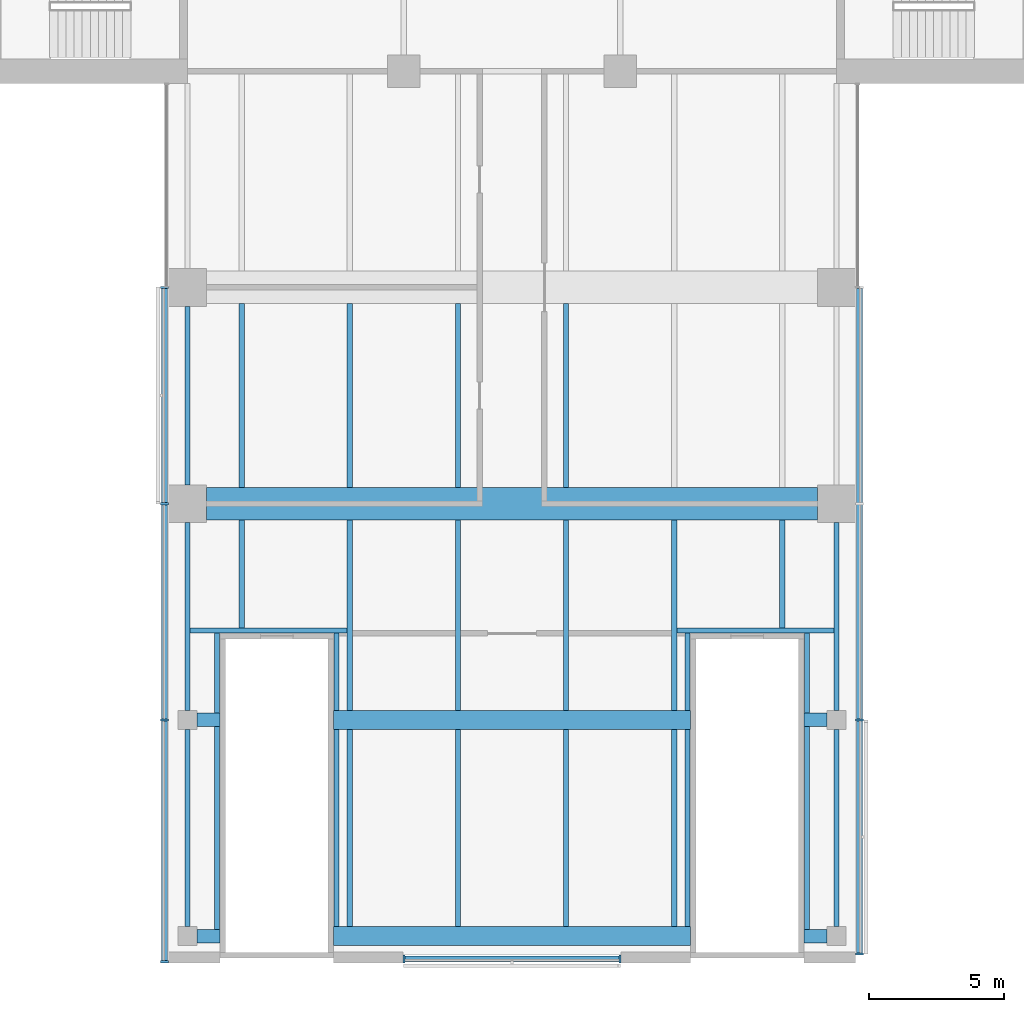
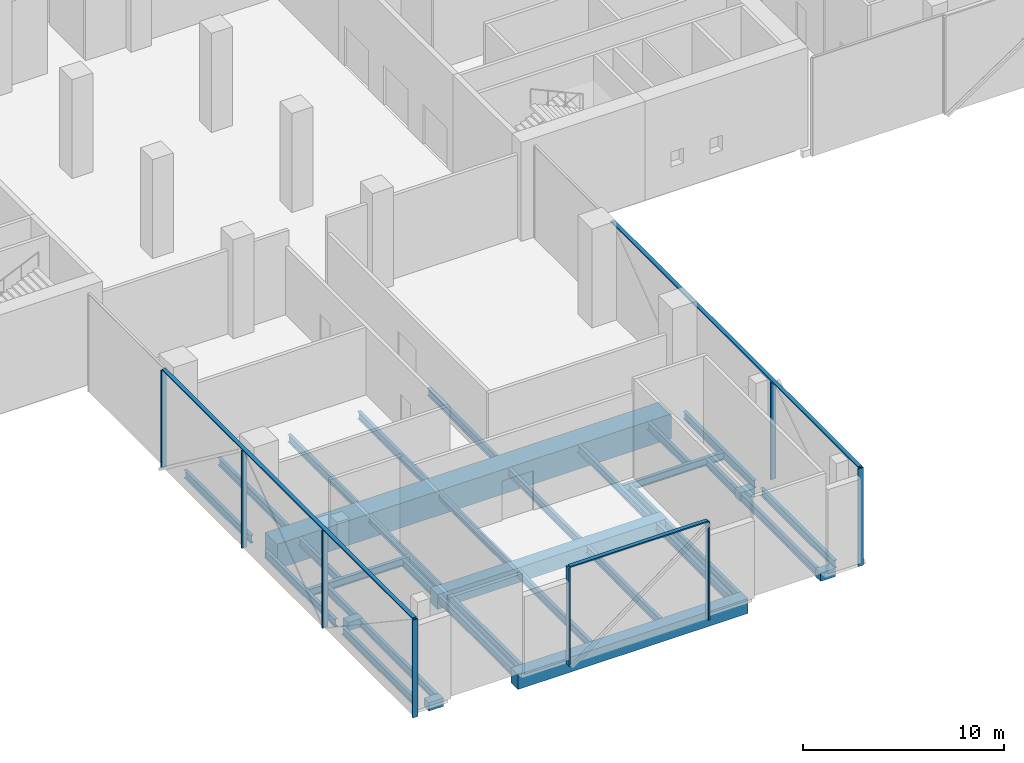
# One storey, part 2 of 23: 36 beams, 11 members, 3 elements without a shape of their own.
"""IFC4 building model written with IfcOpenShell, lengths in metres."""

from ifc_helpers import new_model, si_unit, direction, frame, origin, origin_2d, place, context, subcontext, project, spatial, rectangle, i_section, extrude, material, material_profile, profile_set, type_object, element, aggregate, save


model = new_model("IFC4")

# Units and contexts
model_context = context("Model", 3, precision=1e-05, world=origin(), true_north=direction((0.0, 1.0)))
body_context = subcontext(model_context, "Body", "Model", "MODEL_VIEW")
ifc_project = project(units=[si_unit("LENGTHUNIT", "METRE"), si_unit("AREAUNIT", "SQUARE_METRE"), si_unit("VOLUMEUNIT", "CUBIC_METRE"), si_unit("PLANEANGLEUNIT", "RADIAN"), si_unit("MASSUNIT", "GRAM", prefix="KILO")], contexts=[model_context])

# Site, building, storey
site_placement = place(None, origin())
site = spatial("IfcSite", under=ifc_project, at=site_placement, CompositionType="ELEMENT")
building_placement = place(site_placement, origin())
building = spatial("IfcBuilding", under=site, at=building_placement, Name="Crosswind Convention Tower", CompositionType="ELEMENT")
storey_placement = place(building_placement, frame((0.0, 0.0, 41.5)))
storey = spatial("IfcBuildingStorey", under=building, at=storey_placement, Name="L05", CompositionType="ELEMENT", Elevation=41.5)

# Beams
ifc_material_1 = material(Name="Steel S355", Category="steel")
ifc_material_profile_1 = material_profile(ifc_material_1, i_section(OverallWidth=0.19287109375, OverallDepth=0.467529296875, WebThickness=0.011474609375, FlangeThickness=0.01953125, FilletRadius=0.01025390625, at=origin_2d()), Name="UB 457x191x98")
ifc_profile_set_1 = profile_set([ifc_material_profile_1], Name="Steel S355")
beam_type_1 = type_object("IfcBeamType", Name="Edge beam UB 457x191x98", PredefinedType="SPANDREL", material=ifc_profile_set_1)
beam_1_placement = place(storey_placement, frame((113.0, 56.35009765625, -0.6337890625), z_axis=(0.0, 1.0, 0.0), x_axis=(-1.0, 0.0, 0.0)))
element("IfcBeam", 1, at=beam_1_placement, inside=storey, type_object=beam_type_1, Name="B20 L05 edge beam 5", PredefinedType="SPANDREL", context=body_context, shape_type="SweptSolid", body=[
    extrude(i_section(OverallWidth=0.19287109375, OverallDepth=0.467529296875, WebThickness=0.011474609375, FlangeThickness=0.01953125, FilletRadius=0.01025390625, at=origin_2d()), origin(), (0.0, 0.0, 1.0), 7.2998046875),
])
beam_2_placement = place(storey_placement, frame((113.0, 64.35009765625, -0.6337890625), z_axis=(0.0, 1.0, 0.0), x_axis=(-1.0, 0.0, 0.0)))
element("IfcBeam", 2, at=beam_2_placement, inside=storey, type_object=beam_type_1, Name="B20 L05 edge beam 6", PredefinedType="SPANDREL", context=body_context, shape_type="SweptSolid", body=[
    extrude(i_section(OverallWidth=0.19287109375, OverallDepth=0.467529296875, WebThickness=0.011474609375, FlangeThickness=0.01953125, FilletRadius=0.01025390625, at=origin_2d()), origin(), (0.0, 0.0, 1.0), 6.949951171875),
])
beam_3_placement = place(storey_placement, frame((113.0, 72.699951171875, -0.6337890625), z_axis=(0.0, 1.0, 0.0), x_axis=(-1.0, 0.0, 0.0)))
element("IfcBeam", 3, at=beam_3_placement, inside=storey, type_object=beam_type_1, Name="B20 L05 edge beam 7", PredefinedType="SPANDREL", context=body_context, shape_type="SweptSolid", body=[
    extrude(i_section(OverallWidth=0.19287109375, OverallDepth=0.467529296875, WebThickness=0.011474609375, FlangeThickness=0.01953125, FilletRadius=0.01025390625, at=origin_2d()), origin(), (0.0, 0.0, 1.0), 6.60009765625),
])
beam_4_placement = place(storey_placement, frame((137.0, 56.35009765625, -0.6337890625), z_axis=(0.0, 1.0, 0.0), x_axis=(-1.0, 0.0, 0.0)))
element("IfcBeam", 4, at=beam_4_placement, inside=storey, type_object=beam_type_1, Name="B20 L05 edge beam 13", PredefinedType="SPANDREL", context=body_context, shape_type="SweptSolid", body=[
    extrude(i_section(OverallWidth=0.19287109375, OverallDepth=0.467529296875, WebThickness=0.011474609375, FlangeThickness=0.01953125, FilletRadius=0.01025390625, at=origin_2d()), origin(), (0.0, 0.0, 1.0), 7.2998046875),
])
beam_5_placement = place(storey_placement, frame((137.0, 64.35009765625, -0.6337890625), z_axis=(0.0, 1.0, 0.0), x_axis=(-1.0, 0.0, 0.0)))
element("IfcBeam", 5, at=beam_5_placement, inside=storey, type_object=beam_type_1, Name="B20 L05 edge beam 14", PredefinedType="SPANDREL", context=body_context, shape_type="SweptSolid", body=[
    extrude(i_section(OverallWidth=0.19287109375, OverallDepth=0.467529296875, WebThickness=0.011474609375, FlangeThickness=0.01953125, FilletRadius=0.01025390625, at=origin_2d()), origin(), (0.0, 0.0, 1.0), 6.949951171875),
])

# Curtain wall, members
ifc_material_2 = material(Name="Aluminium unitised curtain wall", Category="aluminium")
curtain_wall_type = type_object("IfcCurtainWallType", Name="PODIUM UNITISED WALL 300", PredefinedType="USERDEFINED", material=ifc_material_2)
curtain_wall_1_placement = place(storey_placement, origin())
curtain_wall_1 = element("IfcCurtainWall", 6, at=curtain_wall_1_placement, inside=storey, type_object=curtain_wall_type, Name="CW1 L05 S-W 1", ObjectType="UNITISED", PredefinedType="USERDEFINED")
ifc_material_3 = material(Name="Aluminium mullion", Category="aluminium")
ifc_material_profile_2 = material_profile(ifc_material_3, rectangle(XDim=0.300048828125, YDim=0.080078125, at=origin_2d()), Name="AL 300X80")
ifc_profile_set_2 = profile_set([ifc_material_profile_2], Name="Aluminium mullion")
member_type_1 = type_object("IfcMemberType", Name="MULLION 80X300", PredefinedType="MULLION", material=ifc_profile_set_2)
member_1_placement = place(storey_placement, frame((112.14990234375, 80.0, -0.39990234375), z_axis=(0.0, 0.0, 1.0), x_axis=(-1.0, 0.0, 0.0)))
member_1 = element("IfcMember", 7, at=member_1_placement, type_object=member_type_1, Name="CW1 mullion 1", PredefinedType="MULLION", context=body_context, shape_type="SweptSolid", body=[
    extrude(rectangle(XDim=0.300048828125, YDim=0.080078125, at=origin_2d()), origin(), (0.0, 0.0, 1.0), 5.919921875),
])
member_2_placement = place(storey_placement, frame((112.14990234375, 72.0, -0.39990234375), z_axis=(0.0, 0.0, 1.0), x_axis=(-1.0, 0.0, 0.0)))
member_2 = element("IfcMember", 8, at=member_2_placement, type_object=member_type_1, Name="CW1 mullion 2", PredefinedType="MULLION", context=body_context, shape_type="SweptSolid", body=[
    extrude(rectangle(XDim=0.300048828125, YDim=0.080078125, at=origin_2d()), origin(), (0.0, 0.0, 1.0), 5.919921875),
])
member_3_placement = place(storey_placement, frame((112.14990234375, 64.0, -0.39990234375), z_axis=(0.0, 0.0, 1.0), x_axis=(-1.0, 0.0, 0.0)))
member_3 = element("IfcMember", 9, at=member_3_placement, type_object=member_type_1, Name="CW1 mullion 3", PredefinedType="MULLION", context=body_context, shape_type="SweptSolid", body=[
    extrude(rectangle(XDim=0.300048828125, YDim=0.080078125, at=origin_2d()), origin(), (0.0, 0.0, 1.0), 5.919921875),
])
member_4_placement = place(storey_placement, frame((112.14990234375, 55.054931640625, -0.39990234375), z_axis=(0.0, 0.0, 1.0), x_axis=(-1.0, 0.0, 0.0)))
member_4 = element("IfcMember", 10, at=member_4_placement, type_object=member_type_1, Name="CW1 mullion 4", PredefinedType="MULLION", context=body_context, shape_type="SweptSolid", body=[
    extrude(rectangle(XDim=0.300048828125, YDim=0.080078125, at=origin_2d()), origin(), (0.0, 0.0, 1.0), 5.919921875),
])

curtain_wall_2_placement = place(storey_placement, origin())
curtain_wall_2 = element("IfcCurtainWall", 11, at=curtain_wall_2_placement, inside=storey, type_object=curtain_wall_type, Name="CW1 L05 S-TIP 1", ObjectType="UNITISED", PredefinedType="USERDEFINED")
member_5_placement = place(storey_placement, frame((121.0, 55.14990234375, -0.39990234375), z_axis=(0.0, 0.0, 1.0), x_axis=(0.0, -1.0, 0.0)))
member_5 = element("IfcMember", 12, at=member_5_placement, type_object=member_type_1, Name="CW1 mullion 1", PredefinedType="MULLION", context=body_context, shape_type="SweptSolid", body=[
    extrude(rectangle(XDim=0.300048828125, YDim=0.080078125, at=origin_2d()), origin(), (0.0, 0.0, 1.0), 5.919921875),
])
member_6_placement = place(storey_placement, frame((129.0, 55.14990234375, -0.39990234375), z_axis=(0.0, 0.0, 1.0), x_axis=(0.0, -1.0, 0.0)))
member_6 = element("IfcMember", 13, at=member_6_placement, type_object=member_type_1, Name="CW1 mullion 2", PredefinedType="MULLION", context=body_context, shape_type="SweptSolid", body=[
    extrude(rectangle(XDim=0.300048828125, YDim=0.080078125, at=origin_2d()), origin(), (0.0, 0.0, 1.0), 5.919921875),
])

curtain_wall_3_placement = place(storey_placement, origin())
curtain_wall_3 = element("IfcCurtainWall", 14, at=curtain_wall_3_placement, inside=storey, type_object=curtain_wall_type, Name="CW1 L05 S-E 1", ObjectType="UNITISED", PredefinedType="USERDEFINED")
member_7_placement = place(storey_placement, frame((137.85009765625, 55.340087890625, -0.39990234375), z_axis=(0.0, 0.0, 1.0), x_axis=(1.0, 0.0, 0.0)))
member_7 = element("IfcMember", 15, at=member_7_placement, type_object=member_type_1, Name="CW1 mullion 1", PredefinedType="MULLION", context=body_context, shape_type="SweptSolid", body=[
    extrude(rectangle(XDim=0.300048828125, YDim=0.080078125, at=origin_2d()), origin(), (0.0, 0.0, 1.0), 5.919921875),
])
member_8_placement = place(storey_placement, frame((137.85009765625, 64.0, -0.39990234375), z_axis=(0.0, 0.0, 1.0), x_axis=(1.0, 0.0, 0.0)))
member_8 = element("IfcMember", 16, at=member_8_placement, type_object=member_type_1, Name="CW1 mullion 2", PredefinedType="MULLION", context=body_context, shape_type="SweptSolid", body=[
    extrude(rectangle(XDim=0.300048828125, YDim=0.080078125, at=origin_2d()), origin(), (0.0, 0.0, 1.0), 5.919921875),
])

# Beams
ifc_material_4 = material(Name="Concrete C70/85", Category="concrete")
ifc_material_profile_3 = material_profile(ifc_material_4, rectangle(XDim=1.199951171875, YDim=1.5, at=origin_2d()), Name="RC 1200X1500")
ifc_profile_set_3 = profile_set([ifc_material_profile_3], Name="Concrete C70/85")
beam_type_2 = type_object("IfcBeamType", Name="Prestressed concrete girder RC 1200X1500", PredefinedType="BEAM", material=ifc_profile_set_3)
beam_6_placement = place(storey_placement, frame((113.699951171875, 72.0, -1.14990234375), z_axis=(1.0, 0.0, 0.0), x_axis=(0.0, 1.0, 0.0)))
element("IfcBeam", 17, at=beam_6_placement, inside=storey, type_object=beam_type_2, Name="B39 L05 prestressed concrete girder 1", PredefinedType="BEAM", context=body_context, shape_type="SweptSolid", body=[
    extrude(rectangle(XDim=1.199951171875, YDim=1.5, at=origin_2d()), origin(), (0.0, 0.0, 1.0), 22.60009765625),
])
ifc_material_5 = material(Name="Concrete C60/75", Category="concrete")
ifc_material_profile_4 = material_profile(ifc_material_5, rectangle(XDim=0.699951171875, YDim=0.89990234375, at=origin_2d()), Name="RC 700X900")
ifc_profile_set_4 = profile_set([ifc_material_profile_4], Name="Concrete C60/75")
beam_type_3 = type_object("IfcBeamType", Name="Prestressed concrete girder between stair walls RC 700X900", PredefinedType="BEAM", material=ifc_profile_set_4)
for number, where, z_axis, x_axis, name in (
    (18, (118.39990234375, 56.0, -0.85009765625), (1.0, 0.0, 0.0), (0.0, 1.0, 0.0), "B41 L05 prestressed concrete girder between stair walls 3"),
    (19, (118.39990234375, 64.0, -0.85009765625), (1.0, 0.0, 0.0), (0.0, 1.0, 0.0), "B41 L05 prestressed concrete girder between stair walls 4"),
):
    element("IfcBeam", number, at=place(storey_placement, frame(where, z_axis=z_axis, x_axis=x_axis)), inside=storey, type_object=beam_type_3, Name=name, PredefinedType="BEAM", context=body_context, shape_type="SweptSolid", body=[
        extrude(rectangle(XDim=0.699951171875, YDim=0.89990234375, at=origin_2d()), origin(), (0.0, 0.0, 1.0), 13.2001953125),
    ])
ifc_material_profile_5 = material_profile(ifc_material_1, i_section(OverallWidth=0.19140625, OverallDepth=0.460205078125, WebThickness=0.010009765625, FlangeThickness=0.01611328125, FilletRadius=0.01025390625, at=origin_2d()), Name="UB 457x191x82")
ifc_profile_set_5 = profile_set([ifc_material_profile_5], Name="Steel S355")
beam_type_4 = type_object("IfcBeamType", Name="Secondary beam UB 457x191x82", PredefinedType="JOIST", material=ifc_profile_set_5)
beam_7_placement = place(storey_placement, frame((115.0, 67.406005859375, -0.630126953125), z_axis=(0.0, 1.0, 0.0), x_axis=(-1.0, 0.0, 0.0)))
element("IfcBeam", 20, at=beam_7_placement, inside=storey, type_object=beam_type_4, Name="B13 L05 secondary beam 14", PredefinedType="JOIST", context=body_context, shape_type="SweptSolid", body=[
    extrude(i_section(OverallWidth=0.19140625, OverallDepth=0.460205078125, WebThickness=0.010009765625, FlangeThickness=0.01611328125, FilletRadius=0.01025390625, at=origin_2d()), origin(), (0.0, 0.0, 1.0), 3.993896484375),
])
beam_8_placement = place(storey_placement, frame((115.0, 72.60009765625, -0.630126953125), z_axis=(0.0, 1.0, 0.0), x_axis=(-1.0, 0.0, 0.0)))
element("IfcBeam", 21, at=beam_8_placement, inside=storey, type_object=beam_type_4, Name="B13 L05 secondary beam 15", PredefinedType="JOIST", context=body_context, shape_type="SweptSolid", body=[
    extrude(i_section(OverallWidth=0.19140625, OverallDepth=0.460205078125, WebThickness=0.010009765625, FlangeThickness=0.01611328125, FilletRadius=0.01025390625, at=origin_2d()), origin(), (0.0, 0.0, 1.0), 6.7998046875),
])
beam_9_placement = place(storey_placement, frame((119.0, 56.35009765625, -0.630126953125), z_axis=(0.0, 1.0, 0.0), x_axis=(-1.0, 0.0, 0.0)))
element("IfcBeam", 22, at=beam_9_placement, inside=storey, type_object=beam_type_4, Name="B13 L05 secondary beam 20", PredefinedType="JOIST", context=body_context, shape_type="SweptSolid", body=[
    extrude(i_section(OverallWidth=0.19140625, OverallDepth=0.460205078125, WebThickness=0.010009765625, FlangeThickness=0.01611328125, FilletRadius=0.01025390625, at=origin_2d()), origin(), (0.0, 0.0, 1.0), 7.2998046875),
])
beam_10_placement = place(storey_placement, frame((119.0, 64.35009765625, -0.630126953125), z_axis=(0.0, 1.0, 0.0), x_axis=(-1.0, 0.0, 0.0)))
element("IfcBeam", 23, at=beam_10_placement, inside=storey, type_object=beam_type_4, Name="B13 L05 secondary beam 21", PredefinedType="JOIST", context=body_context, shape_type="SweptSolid", body=[
    extrude(i_section(OverallWidth=0.19140625, OverallDepth=0.460205078125, WebThickness=0.010009765625, FlangeThickness=0.01611328125, FilletRadius=0.01025390625, at=origin_2d()), origin(), (0.0, 0.0, 1.0), 7.0498046875),
])
beam_11_placement = place(storey_placement, frame((119.0, 72.60009765625, -0.630126953125), z_axis=(0.0, 1.0, 0.0), x_axis=(-1.0, 0.0, 0.0)))
element("IfcBeam", 24, at=beam_11_placement, inside=storey, type_object=beam_type_4, Name="B13 L05 secondary beam 22", PredefinedType="JOIST", context=body_context, shape_type="SweptSolid", body=[
    extrude(i_section(OverallWidth=0.19140625, OverallDepth=0.460205078125, WebThickness=0.010009765625, FlangeThickness=0.01611328125, FilletRadius=0.01025390625, at=origin_2d()), origin(), (0.0, 0.0, 1.0), 6.7998046875),
])
beam_12_placement = place(storey_placement, frame((123.0, 56.35009765625, -0.630126953125), z_axis=(0.0, 1.0, 0.0), x_axis=(-1.0, 0.0, 0.0)))
element("IfcBeam", 25, at=beam_12_placement, inside=storey, type_object=beam_type_4, Name="B13 L05 secondary beam 31", PredefinedType="JOIST", context=body_context, shape_type="SweptSolid", body=[
    extrude(i_section(OverallWidth=0.19140625, OverallDepth=0.460205078125, WebThickness=0.010009765625, FlangeThickness=0.01611328125, FilletRadius=0.01025390625, at=origin_2d()), origin(), (0.0, 0.0, 1.0), 7.2998046875),
])
beam_13_placement = place(storey_placement, frame((123.0, 64.35009765625, -0.630126953125), z_axis=(0.0, 1.0, 0.0), x_axis=(-1.0, 0.0, 0.0)))
element("IfcBeam", 26, at=beam_13_placement, inside=storey, type_object=beam_type_4, Name="B13 L05 secondary beam 32", PredefinedType="JOIST", context=body_context, shape_type="SweptSolid", body=[
    extrude(i_section(OverallWidth=0.19140625, OverallDepth=0.460205078125, WebThickness=0.010009765625, FlangeThickness=0.01611328125, FilletRadius=0.01025390625, at=origin_2d()), origin(), (0.0, 0.0, 1.0), 7.0498046875),
])
beam_14_placement = place(storey_placement, frame((123.0, 72.60009765625, -0.630126953125), z_axis=(0.0, 1.0, 0.0), x_axis=(-1.0, 0.0, 0.0)))
element("IfcBeam", 27, at=beam_14_placement, inside=storey, type_object=beam_type_4, Name="B13 L05 secondary beam 33", PredefinedType="JOIST", context=body_context, shape_type="SweptSolid", body=[
    extrude(i_section(OverallWidth=0.19140625, OverallDepth=0.460205078125, WebThickness=0.010009765625, FlangeThickness=0.01611328125, FilletRadius=0.01025390625, at=origin_2d()), origin(), (0.0, 0.0, 1.0), 6.7998046875),
])
beam_15_placement = place(storey_placement, frame((127.0, 56.35009765625, -0.630126953125), z_axis=(0.0, 1.0, 0.0), x_axis=(-1.0, 0.0, 0.0)))
element("IfcBeam", 28, at=beam_15_placement, inside=storey, type_object=beam_type_4, Name="B13 L05 secondary beam 39", PredefinedType="JOIST", context=body_context, shape_type="SweptSolid", body=[
    extrude(i_section(OverallWidth=0.19140625, OverallDepth=0.460205078125, WebThickness=0.010009765625, FlangeThickness=0.01611328125, FilletRadius=0.01025390625, at=origin_2d()), origin(), (0.0, 0.0, 1.0), 7.2998046875),
])
beam_16_placement = place(storey_placement, frame((127.0, 64.35009765625, -0.630126953125), z_axis=(0.0, 1.0, 0.0), x_axis=(-1.0, 0.0, 0.0)))
element("IfcBeam", 29, at=beam_16_placement, inside=storey, type_object=beam_type_4, Name="B13 L05 secondary beam 40", PredefinedType="JOIST", context=body_context, shape_type="SweptSolid", body=[
    extrude(i_section(OverallWidth=0.19140625, OverallDepth=0.460205078125, WebThickness=0.010009765625, FlangeThickness=0.01611328125, FilletRadius=0.01025390625, at=origin_2d()), origin(), (0.0, 0.0, 1.0), 7.0498046875),
])
beam_17_placement = place(storey_placement, frame((127.0, 72.60009765625, -0.630126953125), z_axis=(0.0, 1.0, 0.0), x_axis=(-1.0, 0.0, 0.0)))
element("IfcBeam", 30, at=beam_17_placement, inside=storey, type_object=beam_type_4, Name="B13 L05 secondary beam 41", PredefinedType="JOIST", context=body_context, shape_type="SweptSolid", body=[
    extrude(i_section(OverallWidth=0.19140625, OverallDepth=0.460205078125, WebThickness=0.010009765625, FlangeThickness=0.01611328125, FilletRadius=0.01025390625, at=origin_2d()), origin(), (0.0, 0.0, 1.0), 6.7998046875),
])
beam_18_placement = place(storey_placement, frame((131.0, 56.35009765625, -0.630126953125), z_axis=(0.0, 1.0, 0.0), x_axis=(-1.0, 0.0, 0.0)))
element("IfcBeam", 31, at=beam_18_placement, inside=storey, type_object=beam_type_4, Name="B13 L05 secondary beam 50", PredefinedType="JOIST", context=body_context, shape_type="SweptSolid", body=[
    extrude(i_section(OverallWidth=0.19140625, OverallDepth=0.460205078125, WebThickness=0.010009765625, FlangeThickness=0.01611328125, FilletRadius=0.01025390625, at=origin_2d()), origin(), (0.0, 0.0, 1.0), 7.2998046875),
])
beam_19_placement = place(storey_placement, frame((131.0, 64.35009765625, -0.630126953125), z_axis=(0.0, 1.0, 0.0), x_axis=(-1.0, 0.0, 0.0)))
element("IfcBeam", 32, at=beam_19_placement, inside=storey, type_object=beam_type_4, Name="B13 L05 secondary beam 51", PredefinedType="JOIST", context=body_context, shape_type="SweptSolid", body=[
    extrude(i_section(OverallWidth=0.19140625, OverallDepth=0.460205078125, WebThickness=0.010009765625, FlangeThickness=0.01611328125, FilletRadius=0.01025390625, at=origin_2d()), origin(), (0.0, 0.0, 1.0), 7.0498046875),
])
beam_20_placement = place(storey_placement, frame((135.0, 67.406005859375, -0.630126953125), z_axis=(0.0, 1.0, 0.0), x_axis=(-1.0, 0.0, 0.0)))
element("IfcBeam", 33, at=beam_20_placement, inside=storey, type_object=beam_type_4, Name="B13 L05 secondary beam 58", PredefinedType="JOIST", context=body_context, shape_type="SweptSolid", body=[
    extrude(i_section(OverallWidth=0.19140625, OverallDepth=0.460205078125, WebThickness=0.010009765625, FlangeThickness=0.01611328125, FilletRadius=0.01025390625, at=origin_2d()), origin(), (0.0, 0.0, 1.0), 3.993896484375),
])
ifc_material_profile_6 = material_profile(ifc_material_5, rectangle(XDim=0.5, YDim=0.5, at=origin_2d()), Name="RC 500X500")
ifc_profile_set_6 = profile_set([ifc_material_profile_6], Name="Concrete C60/75")
beam_type_5 = type_object("IfcBeamType", Name="Slab edge tie beam RC 500X500", PredefinedType="BEAM", material=ifc_profile_set_6)
for number, where, z_axis, x_axis, name in (
    (34, (113.35009765625, 56.0, -0.64990234375), (1.0, 0.0, 0.0), (0.0, 1.0, 0.0), "B42 L05 slab edge tie beam 5"),
    (35, (113.35009765625, 64.0, -0.64990234375), (1.0, 0.0, 0.0), (0.0, 1.0, 0.0), "B42 L05 slab edge tie beam 6"),
    (36, (135.800048828125, 56.0, -0.64990234375), (1.0, 0.0, 0.0), (0.0, 1.0, 0.0), "B42 L05 slab edge tie beam 9"),
    (37, (135.800048828125, 64.0, -0.64990234375), (1.0, 0.0, 0.0), (0.0, 1.0, 0.0), "B42 L05 slab edge tie beam 10"),
):
    element("IfcBeam", number, at=place(storey_placement, frame(where, z_axis=z_axis, x_axis=x_axis)), inside=storey, type_object=beam_type_5, Name=name, PredefinedType="BEAM", context=body_context, shape_type="SweptSolid", body=[
        extrude(rectangle(XDim=0.5, YDim=0.5, at=origin_2d()), origin(), (0.0, 0.0, 1.0), 0.849853515625),
    ])

# Member
ifc_material_6 = material(Name="Aluminium transom", Category="aluminium")
ifc_material_profile_7 = material_profile(ifc_material_6, rectangle(XDim=0.219970703125, YDim=0.080078125, at=origin_2d()), Name="AL 220X80")
ifc_profile_set_7 = profile_set([ifc_material_profile_7], Name="Aluminium transom")
member_type_2 = type_object("IfcMemberType", Name="TRANSOM 80X220", PredefinedType="USERDEFINED", material=ifc_profile_set_7)
member_9_placement = place(storey_placement, frame((112.14990234375, 79.9599609375, 5.56005859375), z_axis=(0.0, -1.0, 0.0), x_axis=(1.0, 0.0, 0.0)))
member_9 = element("IfcMember", 38, at=member_9_placement, type_object=member_type_2, Name="CW1 transom", ObjectType="TRANSOM", PredefinedType="USERDEFINED", context=body_context, shape_type="SweptSolid", body=[
    extrude(rectangle(XDim=0.219970703125, YDim=0.080078125, at=origin_2d()), origin(), (0.0, 0.0, 1.0), 24.864990234375),
])

aggregate(curtain_wall_1, [member_1, member_2, member_3, member_4, member_9])

member_10_placement = place(storey_placement, frame((121.0400390625, 55.14990234375, 5.56005859375), z_axis=(1.0, 0.0, 0.0), x_axis=(0.0, 1.0, 0.0)))
member_10 = element("IfcMember", 39, at=member_10_placement, type_object=member_type_2, Name="CW1 transom", ObjectType="TRANSOM", PredefinedType="USERDEFINED", context=body_context, shape_type="SweptSolid", body=[
    extrude(rectangle(XDim=0.219970703125, YDim=0.080078125, at=origin_2d()), origin(), (0.0, 0.0, 1.0), 7.919921875),
])

aggregate(curtain_wall_2, [member_5, member_6, member_10])

member_11_placement = place(storey_placement, frame((137.85009765625, 55.3798828125, 5.56005859375), z_axis=(0.0, 1.0, 0.0), x_axis=(-1.0, 0.0, 0.0)))
member_11 = element("IfcMember", 40, at=member_11_placement, type_object=member_type_2, Name="CW1 transom", ObjectType="TRANSOM", PredefinedType="USERDEFINED", context=body_context, shape_type="SweptSolid", body=[
    extrude(rectangle(XDim=0.219970703125, YDim=0.080078125, at=origin_2d()), origin(), (0.0, 0.0, 1.0), 24.580078125),
])

aggregate(curtain_wall_3, [member_7, member_8, member_11])

# Beams
ifc_material_profile_8 = material_profile(ifc_material_1, i_section(OverallWidth=0.19189453125, OverallDepth=0.463623046875, WebThickness=0.010498046875, FlangeThickness=0.017578125, FilletRadius=0.01025390625, at=origin_2d()), Name="UB 457x191x90")
ifc_profile_set_8 = profile_set([ifc_material_profile_8], Name="Steel S355")
beam_type_6 = type_object("IfcBeamType", Name="Trimmer beam UB 457x191x90", PredefinedType="BEAM", material=ifc_profile_set_8)
beam_21_placement = place(storey_placement, frame((113.096435546875, 67.31005859375, -0.6318359375), z_axis=(1.0, 0.0, 0.0), x_axis=(0.0, 1.0, 0.0)))
element("IfcBeam", 41, at=beam_21_placement, inside=storey, type_object=beam_type_6, Name="B33 L05 trimmer beam 11", PredefinedType="BEAM", context=body_context, shape_type="SweptSolid", body=[
    extrude(i_section(OverallWidth=0.19189453125, OverallDepth=0.463623046875, WebThickness=0.010498046875, FlangeThickness=0.017578125, FilletRadius=0.01025390625, at=origin_2d()), origin(), (0.0, 0.0, 1.0), 5.807861328125),
])
beam_22_placement = place(storey_placement, frame((114.090087890625, 63.75, -0.6318359375), z_axis=(0.0, -1.0, 0.0), x_axis=(1.0, 0.0, 0.0)))
element("IfcBeam", 42, at=beam_22_placement, inside=storey, type_object=beam_type_6, Name="B33 L05 trimmer beam 13", PredefinedType="BEAM", context=body_context, shape_type="SweptSolid", body=[
    extrude(i_section(OverallWidth=0.19189453125, OverallDepth=0.463623046875, WebThickness=0.010498046875, FlangeThickness=0.017578125, FilletRadius=0.01025390625, at=origin_2d()), origin(), (0.0, 0.0, 1.0), 7.5),
])
beam_23_placement = place(storey_placement, frame((114.090087890625, 67.214111328125, -0.6318359375), z_axis=(0.0, -1.0, 0.0), x_axis=(1.0, 0.0, 0.0)))
element("IfcBeam", 43, at=beam_23_placement, inside=storey, type_object=beam_type_6, Name="B33 L05 trimmer beam 14", PredefinedType="BEAM", context=body_context, shape_type="SweptSolid", body=[
    extrude(i_section(OverallWidth=0.19189453125, OverallDepth=0.463623046875, WebThickness=0.010498046875, FlangeThickness=0.017578125, FilletRadius=0.01025390625, at=origin_2d()), origin(), (0.0, 0.0, 1.0), 2.964111328125),
])
beam_24_placement = place(storey_placement, frame((118.510009765625, 63.64990234375, -0.6318359375), z_axis=(0.0, -1.0, 0.0), x_axis=(1.0, 0.0, 0.0)))
element("IfcBeam", 44, at=beam_24_placement, inside=storey, type_object=beam_type_6, Name="B33 L05 trimmer beam 17", PredefinedType="BEAM", context=body_context, shape_type="SweptSolid", body=[
    extrude(i_section(OverallWidth=0.19189453125, OverallDepth=0.463623046875, WebThickness=0.010498046875, FlangeThickness=0.017578125, FilletRadius=0.01025390625, at=origin_2d()), origin(), (0.0, 0.0, 1.0), 7.2998046875),
])
beam_25_placement = place(storey_placement, frame((118.510009765625, 67.214111328125, -0.6318359375), z_axis=(0.0, -1.0, 0.0), x_axis=(1.0, 0.0, 0.0)))
element("IfcBeam", 45, at=beam_25_placement, inside=storey, type_object=beam_type_6, Name="B33 L05 trimmer beam 18", PredefinedType="BEAM", context=body_context, shape_type="SweptSolid", body=[
    extrude(i_section(OverallWidth=0.19189453125, OverallDepth=0.463623046875, WebThickness=0.010498046875, FlangeThickness=0.017578125, FilletRadius=0.01025390625, at=origin_2d()), origin(), (0.0, 0.0, 1.0), 2.864013671875),
])
beam_26_placement = place(storey_placement, frame((131.095703125, 67.31005859375, -0.6318359375), z_axis=(1.0, 0.0, 0.0), x_axis=(0.0, 1.0, 0.0)))
element("IfcBeam", 46, at=beam_26_placement, inside=storey, type_object=beam_type_6, Name="B33 L05 trimmer beam 21", PredefinedType="BEAM", context=body_context, shape_type="SweptSolid", body=[
    extrude(i_section(OverallWidth=0.19189453125, OverallDepth=0.463623046875, WebThickness=0.010498046875, FlangeThickness=0.017578125, FilletRadius=0.01025390625, at=origin_2d()), origin(), (0.0, 0.0, 1.0), 5.807861328125),
])
beam_27_placement = place(storey_placement, frame((131.489990234375, 63.64990234375, -0.6318359375), z_axis=(0.0, -1.0, 0.0), x_axis=(1.0, 0.0, 0.0)))
element("IfcBeam", 47, at=beam_27_placement, inside=storey, type_object=beam_type_6, Name="B33 L05 trimmer beam 23", PredefinedType="BEAM", context=body_context, shape_type="SweptSolid", body=[
    extrude(i_section(OverallWidth=0.19189453125, OverallDepth=0.463623046875, WebThickness=0.010498046875, FlangeThickness=0.017578125, FilletRadius=0.01025390625, at=origin_2d()), origin(), (0.0, 0.0, 1.0), 7.2998046875),
])
beam_28_placement = place(storey_placement, frame((131.489990234375, 67.214111328125, -0.6318359375), z_axis=(0.0, -1.0, 0.0), x_axis=(1.0, 0.0, 0.0)))
element("IfcBeam", 48, at=beam_28_placement, inside=storey, type_object=beam_type_6, Name="B33 L05 trimmer beam 24", PredefinedType="BEAM", context=body_context, shape_type="SweptSolid", body=[
    extrude(i_section(OverallWidth=0.19189453125, OverallDepth=0.463623046875, WebThickness=0.010498046875, FlangeThickness=0.017578125, FilletRadius=0.01025390625, at=origin_2d()), origin(), (0.0, 0.0, 1.0), 2.864013671875),
])
beam_29_placement = place(storey_placement, frame((135.909912109375, 63.75, -0.6318359375), z_axis=(0.0, -1.0, 0.0), x_axis=(1.0, 0.0, 0.0)))
element("IfcBeam", 49, at=beam_29_placement, inside=storey, type_object=beam_type_6, Name="B33 L05 trimmer beam 27", PredefinedType="BEAM", context=body_context, shape_type="SweptSolid", body=[
    extrude(i_section(OverallWidth=0.19189453125, OverallDepth=0.463623046875, WebThickness=0.010498046875, FlangeThickness=0.017578125, FilletRadius=0.01025390625, at=origin_2d()), origin(), (0.0, 0.0, 1.0), 7.5),
])
beam_30_placement = place(storey_placement, frame((135.909912109375, 67.214111328125, -0.6318359375), z_axis=(0.0, -1.0, 0.0), x_axis=(1.0, 0.0, 0.0)))
element("IfcBeam", 50, at=beam_30_placement, inside=storey, type_object=beam_type_6, Name="B33 L05 trimmer beam 28", PredefinedType="BEAM", context=body_context, shape_type="SweptSolid", body=[
    extrude(i_section(OverallWidth=0.19189453125, OverallDepth=0.463623046875, WebThickness=0.010498046875, FlangeThickness=0.017578125, FilletRadius=0.01025390625, at=origin_2d()), origin(), (0.0, 0.0, 1.0), 2.964111328125),
])

save(model, "model.ifc")
